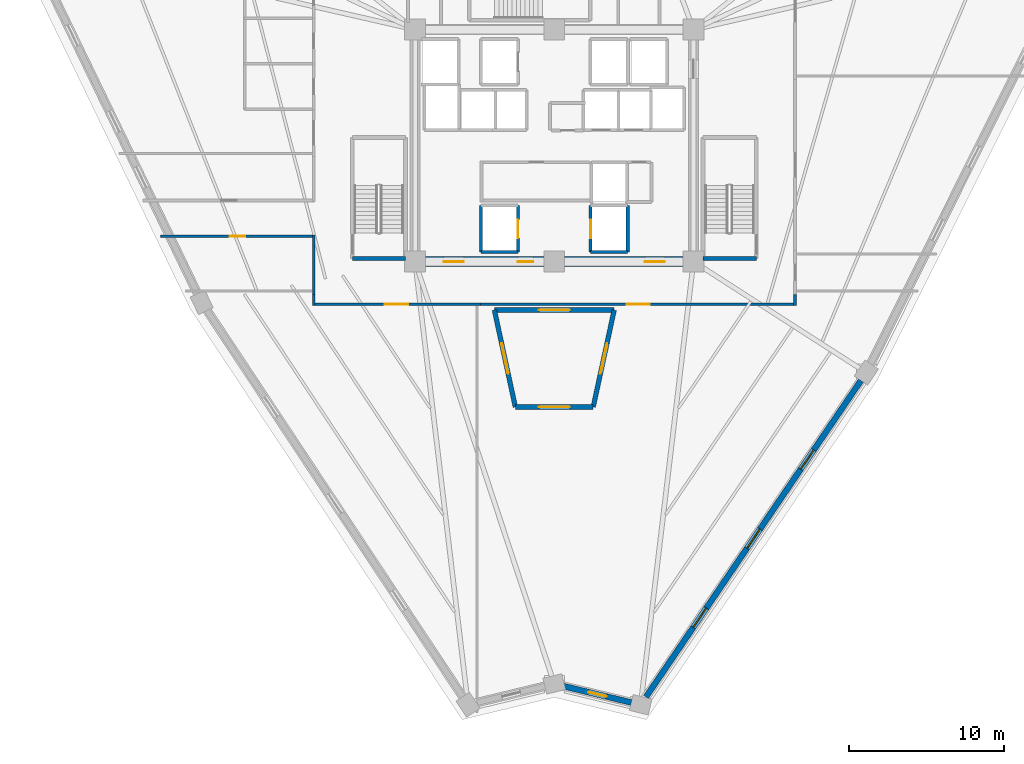
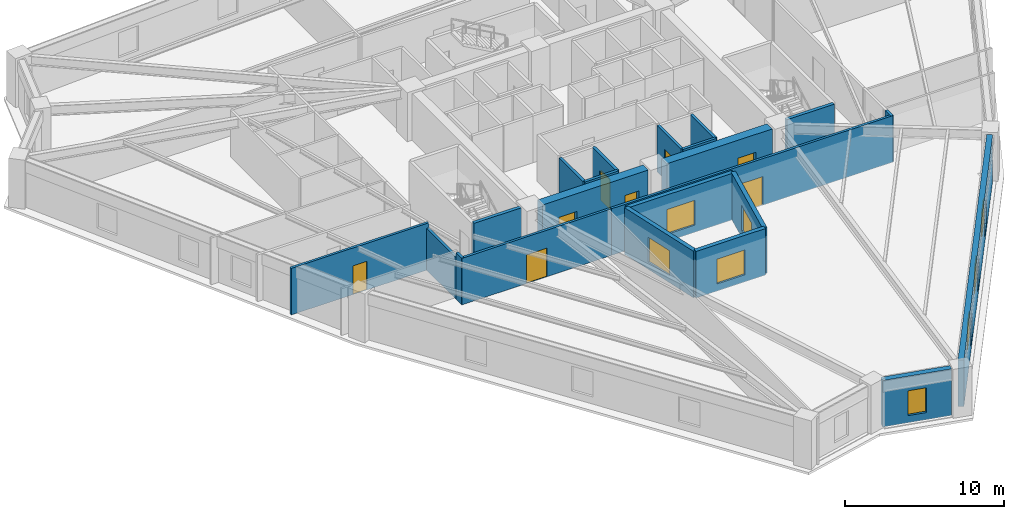
# One storey, part 3 of 10: 22 walls, 8 doors, 8 windows, 16 openings.
"""IFC4 building model written with IfcOpenShell, lengths in metres."""

from ifc_helpers import new_model, si_unit, direction, frame, frame_2d, origin, place, context, subcontext, project, spatial, rectangle, extrude, source, transform, mapped, material, layer, layer_set, type_object, element, fill, save


model = new_model("IFC4")

# Units and contexts
model_context = context("Model", 3, precision=1e-05, world=origin(), true_north=direction((0.0, 1.0)))
body_context = subcontext(model_context, "Body", "Model", "MODEL_VIEW")
ifc_project = project(units=[si_unit("LENGTHUNIT", "METRE"), si_unit("AREAUNIT", "SQUARE_METRE"), si_unit("VOLUMEUNIT", "CUBIC_METRE"), si_unit("PLANEANGLEUNIT", "RADIAN"), si_unit("MASSUNIT", "GRAM", prefix="KILO")], contexts=[model_context])

# Site, building, storey
site_placement = place(None, origin())
site = spatial("IfcSite", under=ifc_project, at=site_placement, CompositionType="ELEMENT")
building_placement = place(site_placement, origin())
building = spatial("IfcBuilding", under=site, at=building_placement, Name="Liaohun Quay Tower", CompositionType="ELEMENT")
storey_placement = place(building_placement, frame((0.0, 0.0, 194.25)))
storey = spatial("IfcBuildingStorey", under=building, at=storey_placement, Name="L50", CompositionType="ELEMENT", Elevation=194.25)

# Wall, opening, window
ifc_material_1 = material(Name="Concrete C50", Category="concrete")
ifc_layer_1 = layer(ifc_material_1, 0.300048828125, Name="Concrete C50", Category="concrete")
ifc_layer_set_1 = layer_set([ifc_layer_1], Name="Concrete C50")
wall_type_1 = type_object("IfcWallType", Name="WAL-ATR-300", PredefinedType="SOLIDWALL", material=ifc_layer_set_1)
wall_1_placement = place(storey_placement, frame((57.48291015625, 37.10009765625, 0.0), z_axis=(0.0, 0.0, 1.0), x_axis=(-0.211374063876, 0.977405240993, 0.0)))
wall_1 = element("IfcWall", 1, at=wall_1_placement, inside=storey, type_object=wall_type_1, Name="L50 Atrium Fire Compartment Wall 1", PredefinedType="SOLIDWALL", context=body_context, shape_type="SweptSolid", body=[
    extrude(rectangle(XDim=6.4150390625, YDim=0.300048828125, at=frame_2d((3.20751953125, 0.0))), origin(), (0.0, 0.0, 1.0), 3.570068359375),
])
shared_shape_1 = source(origin(), body_context, "Body", "SweptSolid", [
    extrude(rectangle(XDim=2.0, YDim=1.89990234375, at=frame_2d((1.0, 0.949951171875))), frame((0.0, 0.159912109375, 0.0), z_axis=(0.0, -1.0, 0.0), x_axis=(1.0, 0.0, 0.0)), (0.0, 0.0, 1.0), 0.320068359375),
])
opening_1_placement = place(wall_1_placement, frame((2.20703125, 0.0, 0.550048828125)))
opening_1 = element("IfcOpeningElement", 2, at=opening_1_placement, cuts=wall_1, Name="Opening W07", PredefinedType="OPENING", context=body_context, shape_type="MappedRepresentation", body=[
    mapped(shared_shape_1, transform((0.0, 0.0, 0.0), x_axis=(1.0, 0.0, 0.0), y_axis=(0.0, 1.0, 0.0), z_axis=(0.0, 0.0, 1.0), scale=1.0)),
])
ifc_material_2 = material(Name="Class A 180-min fire-resistant insulated glazing", Category="glass")
window_type_1 = type_object("IfcWindowType", Name="WIN-ATR-FIR", PartitioningType="DOUBLE_PANEL_VERTICAL", PredefinedType="WINDOW", material=ifc_material_2)
shared_shape_2 = source(origin(), body_context, "Body", "SweptSolid", [
    extrude(rectangle(XDim=2.0, YDim=1.89990234375, at=frame_2d((1.0, 0.949951171875))), frame((0.0, 0.030029296875, 0.0), z_axis=(0.0, -1.0, 0.0), x_axis=(1.0, 0.0, 0.0)), (0.0, 0.0, 1.0), 0.06005859375),
])
window_1_placement = place(opening_1_placement, origin())
window_1 = element("IfcWindow", 3, at=window_1_placement, inside=storey, type_object=window_type_1, Name="L50 Atrium Fire-Resistant Glazing W07-1", OverallHeight=1.89990234375, OverallWidth=2.0, PartitioningType="DOUBLE_PANEL_VERTICAL", PredefinedType="WINDOW", context=body_context, shape_type="MappedRepresentation", body=[
    mapped(shared_shape_2, transform((0.0, 0.0, 0.0), x_axis=(1.0, 0.0, 0.0), y_axis=(0.0, 1.0, 0.0), z_axis=(0.0, 0.0, 1.0), scale=1.0)),
])
fill(opening_1, window_1)

wall_2_placement = place(storey_placement, frame((56.126953125, 43.3701171875, 0.0), z_axis=(0.0, 0.0, 1.0), x_axis=(1.0, 0.0, 0.0)))
wall_2 = element("IfcWall", 4, at=wall_2_placement, inside=storey, type_object=wall_type_1, Name="L50 Atrium Fire Compartment Wall 2", PredefinedType="SOLIDWALL", context=body_context, shape_type="SweptSolid", body=[
    extrude(rectangle(XDim=7.74609375, YDim=0.300048828125, at=frame_2d((3.873046875, 0.0))), origin(), (0.0, 0.0, 1.0), 3.570068359375),
])
opening_2_placement = place(wall_2_placement, frame((2.873046875, 0.0, 0.550048828125)))
opening_2 = element("IfcOpeningElement", 5, at=opening_2_placement, cuts=wall_2, Name="Opening W07", PredefinedType="OPENING", context=body_context, shape_type="MappedRepresentation", body=[
    mapped(shared_shape_1, transform((0.0, 0.0, 0.0), x_axis=(1.0, 0.0, 0.0), y_axis=(0.0, 1.0, 0.0), z_axis=(0.0, 0.0, 1.0), scale=1.0)),
])
window_2_placement = place(opening_2_placement, origin())
window_2 = element("IfcWindow", 6, at=window_2_placement, inside=storey, type_object=window_type_1, Name="L50 Atrium Fire-Resistant Glazing W07-2", OverallHeight=1.89990234375, OverallWidth=2.0, PartitioningType="DOUBLE_PANEL_VERTICAL", PredefinedType="WINDOW", context=body_context, shape_type="MappedRepresentation", body=[
    mapped(shared_shape_2, transform((0.0, 0.0, 0.0), x_axis=(1.0, 0.0, 0.0), y_axis=(0.0, 1.0, 0.0), z_axis=(0.0, 0.0, 1.0), scale=1.0)),
])
fill(opening_2, window_2)

wall_3_placement = place(storey_placement, frame((63.873046875, 43.3701171875, 0.0), z_axis=(0.0, 0.0, 1.0), x_axis=(-0.211374063876, -0.977405240993, 0.0)))
wall_3 = element("IfcWall", 7, at=wall_3_placement, inside=storey, type_object=wall_type_1, Name="L50 Atrium Fire Compartment Wall 3", PredefinedType="SOLIDWALL", context=body_context, shape_type="SweptSolid", body=[
    extrude(rectangle(XDim=6.4150390625, YDim=0.300048828125, at=frame_2d((3.20751953125, 0.0))), origin(), (0.0, 0.0, 1.0), 3.570068359375),
])
opening_3_placement = place(wall_3_placement, frame((2.20703125, 0.0, 0.550048828125)))
opening_3 = element("IfcOpeningElement", 8, at=opening_3_placement, cuts=wall_3, Name="Opening W07", PredefinedType="OPENING", context=body_context, shape_type="MappedRepresentation", body=[
    mapped(shared_shape_1, transform((0.0, 0.0, 0.0), x_axis=(1.0, 0.0, 0.0), y_axis=(0.0, 1.0, 0.0), z_axis=(0.0, 0.0, 1.0), scale=1.0)),
])
window_3_placement = place(opening_3_placement, origin())
window_3 = element("IfcWindow", 9, at=window_3_placement, inside=storey, type_object=window_type_1, Name="L50 Atrium Fire-Resistant Glazing W07-3", OverallHeight=1.89990234375, OverallWidth=2.0, PartitioningType="DOUBLE_PANEL_VERTICAL", PredefinedType="WINDOW", context=body_context, shape_type="MappedRepresentation", body=[
    mapped(shared_shape_2, transform((0.0, 0.0, 0.0), x_axis=(1.0, 0.0, 0.0), y_axis=(0.0, 1.0, 0.0), z_axis=(0.0, 0.0, 1.0), scale=1.0)),
])
fill(opening_3, window_3)

wall_4_placement = place(storey_placement, frame((62.51708984375, 37.10009765625, 0.0), z_axis=(0.0, 0.0, 1.0), x_axis=(-1.0, 0.0, 0.0)))
wall_4 = element("IfcWall", 10, at=wall_4_placement, inside=storey, type_object=wall_type_1, Name="L50 Atrium Fire Compartment Wall 4", PredefinedType="SOLIDWALL", context=body_context, shape_type="SweptSolid", body=[
    extrude(rectangle(XDim=5.0341796875, YDim=0.300048828125, at=frame_2d((2.51708984375, 0.0))), origin(), (0.0, 0.0, 1.0), 3.570068359375),
])
opening_4_placement = place(wall_4_placement, frame((1.51708984375, 0.0, 0.550048828125)))
opening_4 = element("IfcOpeningElement", 11, at=opening_4_placement, cuts=wall_4, Name="Opening W07", PredefinedType="OPENING", context=body_context, shape_type="MappedRepresentation", body=[
    mapped(shared_shape_1, transform((0.0, 0.0, 0.0), x_axis=(1.0, 0.0, 0.0), y_axis=(0.0, 1.0, 0.0), z_axis=(0.0, 0.0, 1.0), scale=1.0)),
])
window_4_placement = place(opening_4_placement, origin())
window_4 = element("IfcWindow", 12, at=window_4_placement, inside=storey, type_object=window_type_1, Name="L50 Atrium Fire-Resistant Glazing W07-4", OverallHeight=1.89990234375, OverallWidth=2.0, PartitioningType="DOUBLE_PANEL_VERTICAL", PredefinedType="WINDOW", context=body_context, shape_type="MappedRepresentation", body=[
    mapped(shared_shape_2, transform((0.0, 0.0, 0.0), x_axis=(1.0, 0.0, 0.0), y_axis=(0.0, 1.0, 0.0), z_axis=(0.0, 0.0, 1.0), scale=1.0)),
])
fill(opening_4, window_4)

# Wall, opening, door
ifc_material_3 = material(Name="Concrete C55", Category="concrete")
ifc_layer_2 = layer(ifc_material_3, 0.64990234375, Name="Concrete C55", Category="concrete")
ifc_layer_set_2 = layer_set([ifc_layer_2], Name="Concrete C55")
wall_type_2 = type_object("IfcWallType", Name="WAL-COR-Z3", PredefinedType="SHEAR", material=ifc_layer_set_2)
wall_5_placement = place(storey_placement, frame((68.324951171875, 46.5, 0.0), z_axis=(0.0, 0.0, 1.0), x_axis=(-1.0, 0.0, 0.0)))
wall_5 = element("IfcWall", 13, at=wall_5_placement, inside=storey, type_object=wall_type_2, Name="L50 Central Core Shear Wall S-E", PredefinedType="SHEAR", context=body_context, shape_type="SweptSolid", body=[
    extrude(rectangle(XDim=7.64990234375, YDim=0.64990234375, at=frame_2d((3.824951171875, 0.0))), origin(), (0.0, 0.0, 1.0), 3.570068359375),
])
shared_shape_3 = source(origin(), body_context, "Body", "SweptSolid", [
    extrude(rectangle(XDim=1.300048828125, YDim=2.199951171875, at=frame_2d((0.64990234375, 1.10009765625))), frame((0.0, 0.3349609375, 0.0), z_axis=(0.0, -1.0, 0.0), x_axis=(1.0, 0.0, 0.0)), (0.0, 0.0, 1.0), 0.669921875),
])
opening_5_placement = place(wall_5_placement, frame((1.175048828125, 0.0, 0.0)))
opening_5 = element("IfcOpeningElement", 14, at=opening_5_placement, cuts=wall_5, Name="Opening FD1", PredefinedType="OPENING", context=body_context, shape_type="MappedRepresentation", body=[
    mapped(shared_shape_3, transform((0.0, 0.0, 0.0), x_axis=(1.0, 0.0, 0.0), y_axis=(0.0, 1.0, 0.0), z_axis=(0.0, 0.0, 1.0), scale=1.0)),
])
ifc_material_4 = material(Name="Galvanised steel smokeproof fire door", Category="steel")
door_type_1 = type_object("IfcDoorType", Name="DOR-FFL-1300", OperationType="NOTDEFINED", PredefinedType="DOOR", material=ifc_material_4)
shared_shape_4 = source(origin(), body_context, "Body", "SweptSolid", [
    extrude(rectangle(XDim=1.300048828125, YDim=2.199951171875, at=frame_2d((0.64990234375, 1.10009765625))), frame((0.0, 0.02490234375, 0.0), z_axis=(0.0, -1.0, 0.0), x_axis=(1.0, 0.0, 0.0)), (0.0, 0.0, 1.0), 0.050048828125),
])
door_1_placement = place(opening_5_placement, origin())
door_1 = element("IfcDoor", 15, at=door_1_placement, inside=storey, type_object=door_type_1, Name="L50 East Core Lift Lobby Smokeproof Door", OperationType="SINGLE_SWING_LEFT", OverallHeight=2.199951171875, OverallWidth=1.300048828125, PredefinedType="DOOR", context=body_context, shape_type="MappedRepresentation", body=[
    mapped(shared_shape_4, transform((0.0, 0.0, 0.0), x_axis=(1.0, 0.0, 0.0), y_axis=(0.0, 1.0, 0.0), z_axis=(0.0, 0.0, 1.0), scale=1.0)),
])
fill(opening_5, door_1)

# Wall, openings, doors
wall_6_placement = place(storey_placement, frame((59.324951171875, 46.5, 0.0), z_axis=(0.0, 0.0, 1.0), x_axis=(-1.0, 0.0, 0.0)))
wall_6 = element("IfcWall", 16, at=wall_6_placement, inside=storey, type_object=wall_type_2, Name="L50 Central Core Shear Wall S-W", PredefinedType="SHEAR", context=body_context, shape_type="SweptSolid", body=[
    extrude(rectangle(XDim=7.64990234375, YDim=0.64990234375, at=frame_2d((3.824951171875, 0.0))), origin(), (0.0, 0.0, 1.0), 3.570068359375),
])
opening_6_placement = place(wall_6_placement, frame((5.175048828125, 0.0, 0.0)))
opening_6 = element("IfcOpeningElement", 17, at=opening_6_placement, cuts=wall_6, Name="Opening FD1", PredefinedType="OPENING", context=body_context, shape_type="MappedRepresentation", body=[
    mapped(shared_shape_3, transform((0.0, 0.0, 0.0), x_axis=(1.0, 0.0, 0.0), y_axis=(0.0, 1.0, 0.0), z_axis=(0.0, 0.0, 1.0), scale=1.0)),
])
shared_shape_5 = source(origin(), body_context, "Body", "SweptSolid", [
    extrude(rectangle(XDim=1.0, YDim=2.199951171875, at=frame_2d((0.5, 1.10009765625))), frame((0.0, 0.3349609375, 0.0), z_axis=(0.0, -1.0, 0.0), x_axis=(1.0, 0.0, 0.0)), (0.0, 0.0, 1.0), 0.669921875),
])
opening_7_placement = place(wall_6_placement, frame((0.675048828125, 0.0, 0.0)))
opening_7 = element("IfcOpeningElement", 18, at=opening_7_placement, cuts=wall_6, Name="Opening FD2", PredefinedType="OPENING", context=body_context, shape_type="MappedRepresentation", body=[
    mapped(shared_shape_5, transform((0.0, 0.0, 0.0), x_axis=(1.0, 0.0, 0.0), y_axis=(0.0, 1.0, 0.0), z_axis=(0.0, 0.0, 1.0), scale=1.0)),
])
door_2_placement = place(opening_6_placement, origin())
door_2 = element("IfcDoor", 19, at=door_2_placement, inside=storey, type_object=door_type_1, Name="L50 West Core Lift Lobby Smokeproof Door", OperationType="SINGLE_SWING_RIGHT", OverallHeight=2.199951171875, OverallWidth=1.300048828125, PredefinedType="DOOR", context=body_context, shape_type="MappedRepresentation", body=[
    mapped(shared_shape_4, transform((0.0, 0.0, 0.0), x_axis=(1.0, 0.0, 0.0), y_axis=(0.0, 1.0, 0.0), z_axis=(0.0, 0.0, 1.0), scale=1.0)),
])
fill(opening_6, door_2)
ifc_material_5 = material(Name="Galvanised steel smokeproof lobby fire door", Category="steel")
door_type_2 = type_object("IfcDoorType", Name="DOR-FFL-1000", OperationType="NOTDEFINED", PredefinedType="DOOR", material=ifc_material_5)
shared_shape_6 = source(origin(), body_context, "Body", "SweptSolid", [
    extrude(rectangle(XDim=1.0, YDim=2.199951171875, at=frame_2d((0.5, 1.10009765625))), frame((0.0, 0.02490234375, 0.0), z_axis=(0.0, -1.0, 0.0), x_axis=(1.0, 0.0, 0.0)), (0.0, 0.0, 1.0), 0.050048828125),
])
door_3_placement = place(opening_7_placement, origin())
door_3 = element("IfcDoor", 20, at=door_3_placement, inside=storey, type_object=door_type_2, Name="L50 South Firefighting Lobby Smokeproof Door", OperationType="SINGLE_SWING_LEFT", OverallHeight=2.199951171875, OverallWidth=1.0, PredefinedType="DOOR", context=body_context, shape_type="MappedRepresentation", body=[
    mapped(shared_shape_6, transform((0.0, 0.0, 0.0), x_axis=(1.0, 0.0, 0.0), y_axis=(0.0, 1.0, 0.0), z_axis=(0.0, 0.0, 1.0), scale=1.0)),
])
fill(opening_7, door_3)

# Wall, opening, window
ifc_material_6 = material(Name="Precast concrete C50 insulated sandwich", Category="concrete")
ifc_layer_3 = layer(ifc_material_6, 0.3798828125, Name="Precast concrete C50 insulated sandwich", Category="concrete")
ifc_layer_set_3 = layer_set([ifc_layer_3], Name="Precast concrete C50 insulated sandwich")
wall_type_3 = type_object("IfcWallType", Name="WAL-EXT-Z34", PredefinedType="SOLIDWALL", material=ifc_layer_set_3)
wall_7_placement = place(storey_placement, frame((60.597900390625, 19.050048828125, 0.0), z_axis=(0.0, 0.0, 1.0), x_axis=(0.972002207068, -0.234971720543, 0.0)))
wall_7 = element("IfcWall", 21, at=wall_7_placement, inside=storey, type_object=wall_type_3, Name="L50 Brutalist Precast Pier Wall 01", PredefinedType="SOLIDWALL", context=body_context, shape_type="SweptSolid", body=[
    extrude(rectangle(XDim=4.515625, YDim=0.3798828125, at=frame_2d((2.2578125, 0.0))), origin(), (0.0, 0.0, 1.0), 3.570068359375),
])
shared_shape_7 = source(origin(), body_context, "Body", "SweptSolid", [
    extrude(rectangle(XDim=1.199951171875, YDim=1.89990234375, at=frame_2d((0.60009765625, 0.949951171875))), frame((0.0, 0.199951171875, 0.0), z_axis=(0.0, -1.0, 0.0), x_axis=(1.0, 0.0, 0.0)), (0.0, 0.0, 1.0), 0.39990234375),
])
opening_8_placement = place(wall_7_placement, frame((1.657958984375, 0.0, 0.550048828125)))
opening_8 = element("IfcOpeningElement", 22, at=opening_8_placement, cuts=wall_7, Name="Opening W05", PredefinedType="OPENING", context=body_context, shape_type="MappedRepresentation", body=[
    mapped(shared_shape_7, transform((0.0, 0.0, 0.0), x_axis=(1.0, 0.0, 0.0), y_axis=(0.0, 1.0, 0.0), z_axis=(0.0, 0.0, 1.0), scale=1.0)),
])
ifc_material_7 = material(Name="Triple Low-E corner notch glazing", Category="glass")
window_type_2 = type_object("IfcWindowType", Name="WIN-NOTCH", PartitioningType="SINGLE_PANEL", PredefinedType="WINDOW", material=ifc_material_7)
shared_shape_8 = source(origin(), body_context, "Body", "SweptSolid", [
    extrude(rectangle(XDim=1.199951171875, YDim=1.89990234375, at=frame_2d((0.60009765625, 0.949951171875))), frame((0.0, 0.030029296875, 0.0), z_axis=(0.0, -1.0, 0.0), x_axis=(1.0, 0.0, 0.0)), (0.0, 0.0, 1.0), 0.06005859375),
])
window_5_placement = place(opening_8_placement, origin())
window_5 = element("IfcWindow", 23, at=window_5_placement, inside=storey, type_object=window_type_2, Name="L50 Corner Notch Window W05-01", OverallHeight=1.89990234375, OverallWidth=1.199951171875, PartitioningType="SINGLE_PANEL", PredefinedType="WINDOW", context=body_context, shape_type="MappedRepresentation", body=[
    mapped(shared_shape_8, transform((0.0, 0.0, 0.0), x_axis=(1.0, 0.0, 0.0), y_axis=(0.0, 1.0, 0.0), z_axis=(0.0, 0.0, 1.0), scale=1.0)),
])
fill(opening_8, window_5)

# Wall, openings, windows
wall_8_placement = place(storey_placement, frame((65.930908203125, 18.35400390625, 0.0), z_axis=(0.0, 0.0, 1.0), x_axis=(0.561951205554, 0.827170383039, 0.0)))
wall_8 = element("IfcWall", 24, at=wall_8_placement, inside=storey, type_object=wall_type_3, Name="L50 Brutalist Precast Pier Wall 02", PredefinedType="SOLIDWALL", context=body_context, shape_type="SweptSolid", body=[
    extrude(rectangle(XDim=24.7373046875, YDim=0.3798828125, at=frame_2d((12.36865234375, 0.0))), origin(), (0.0, 0.0, 1.0), 3.570068359375),
])
shared_shape_9 = source(origin(), body_context, "Body", "SweptSolid", [
    extrude(rectangle(XDim=1.5, YDim=1.89990234375, at=frame_2d((0.75, 0.949951171875))), frame((0.0, 0.199951171875, 0.0), z_axis=(0.0, -1.0, 0.0), x_axis=(1.0, 0.0, 0.0)), (0.0, 0.0, 1.0), 0.39990234375),
])
opening_9_placement = place(wall_8_placement, frame((5.43408203125, 0.0, 0.550048828125)))
opening_9 = element("IfcOpeningElement", 25, at=opening_9_placement, cuts=wall_8, Name="Opening W03", PredefinedType="OPENING", context=body_context, shape_type="MappedRepresentation", body=[
    mapped(shared_shape_9, transform((0.0, 0.0, 0.0), x_axis=(1.0, 0.0, 0.0), y_axis=(0.0, 1.0, 0.0), z_axis=(0.0, 0.0, 1.0), scale=1.0)),
])
opening_10_placement = place(wall_8_placement, frame((11.618896484375, 0.0, 0.550048828125)))
opening_10 = element("IfcOpeningElement", 26, at=opening_10_placement, cuts=wall_8, Name="Opening W03", PredefinedType="OPENING", context=body_context, shape_type="MappedRepresentation", body=[
    mapped(shared_shape_9, transform((0.0, 0.0, 0.0), x_axis=(1.0, 0.0, 0.0), y_axis=(0.0, 1.0, 0.0), z_axis=(0.0, 0.0, 1.0), scale=1.0)),
])
opening_11_placement = place(wall_8_placement, frame((17.802978515625, 0.0, 0.550048828125)))
opening_11 = element("IfcOpeningElement", 27, at=opening_11_placement, cuts=wall_8, Name="Opening W03", PredefinedType="OPENING", context=body_context, shape_type="MappedRepresentation", body=[
    mapped(shared_shape_9, transform((0.0, 0.0, 0.0), x_axis=(1.0, 0.0, 0.0), y_axis=(0.0, 1.0, 0.0), z_axis=(0.0, 0.0, 1.0), scale=1.0)),
])
ifc_material_8 = material(Name="Triple Low-E argon glazing in thermally broken aluminium", Category="aluminium")
window_type_3 = type_object("IfcWindowType", Name="WIN-PUN-Z3", PartitioningType="DOUBLE_PANEL_VERTICAL", PredefinedType="WINDOW", material=ifc_material_8)
shared_shape_10 = source(origin(), body_context, "Body", "SweptSolid", [
    extrude(rectangle(XDim=1.5, YDim=1.89990234375, at=frame_2d((0.75, 0.949951171875))), frame((0.0, 0.030029296875, 0.0), z_axis=(0.0, -1.0, 0.0), x_axis=(1.0, 0.0, 0.0)), (0.0, 0.0, 1.0), 0.06005859375),
])
window_6_placement = place(opening_9_placement, origin())
window_6 = element("IfcWindow", 28, at=window_6_placement, inside=storey, type_object=window_type_3, Name="L50 Recessed Cold-Climate Punched Window 02-1", OverallHeight=1.89990234375, OverallWidth=1.5, PartitioningType="DOUBLE_PANEL_VERTICAL", PredefinedType="WINDOW", context=body_context, shape_type="MappedRepresentation", body=[
    mapped(shared_shape_10, transform((0.0, 0.0, 0.0), x_axis=(1.0, 0.0, 0.0), y_axis=(0.0, 1.0, 0.0), z_axis=(0.0, 0.0, 1.0), scale=1.0)),
])
fill(opening_9, window_6)
window_7_placement = place(opening_10_placement, origin())
window_7 = element("IfcWindow", 29, at=window_7_placement, inside=storey, type_object=window_type_3, Name="L50 Recessed Cold-Climate Punched Window 02-2", OverallHeight=1.89990234375, OverallWidth=1.5, PartitioningType="DOUBLE_PANEL_VERTICAL", PredefinedType="WINDOW", context=body_context, shape_type="MappedRepresentation", body=[
    mapped(shared_shape_10, transform((0.0, 0.0, 0.0), x_axis=(1.0, 0.0, 0.0), y_axis=(0.0, 1.0, 0.0), z_axis=(0.0, 0.0, 1.0), scale=1.0)),
])
fill(opening_10, window_7)
window_8_placement = place(opening_11_placement, origin())
window_8 = element("IfcWindow", 30, at=window_8_placement, inside=storey, type_object=window_type_3, Name="L50 Recessed Cold-Climate Punched Window 02-3", OverallHeight=1.89990234375, OverallWidth=1.5, PartitioningType="DOUBLE_PANEL_VERTICAL", PredefinedType="WINDOW", context=body_context, shape_type="MappedRepresentation", body=[
    mapped(shared_shape_10, transform((0.0, 0.0, 0.0), x_axis=(1.0, 0.0, 0.0), y_axis=(0.0, 1.0, 0.0), z_axis=(0.0, 0.0, 1.0), scale=1.0)),
])
fill(opening_11, window_8)

# Wall, opening, door
ifc_material_9 = material(Name="Autoclaved aerated concrete blockwork", Category="masonry")
ifc_layer_4 = layer(ifc_material_9, 0.179931640625, Name="Autoclaved aerated concrete blockwork", Category="masonry")
ifc_layer_set_4 = layer_set([ifc_layer_4], Name="Autoclaved aerated concrete blockwork")
wall_type_4 = type_object("IfcWallType", Name="WAL-PRT-COR", PredefinedType="PARTITIONING", material=ifc_layer_set_4)
wall_9_placement = place(storey_placement, frame((44.510009765625, 48.139892578125, 0.0), z_axis=(0.0, 0.0, 1.0), x_axis=(-1.0, 0.0, 0.0)))
wall_9 = element("IfcWall", 31, at=wall_9_placement, inside=storey, type_object=wall_type_4, Name="L50 Interior Partition Wall 018", PredefinedType="PARTITIONING", context=body_context, shape_type="SweptSolid", body=[
    extrude(rectangle(XDim=9.968017578125, YDim=0.179931640625, at=frame_2d((4.98388671875, 0.0))), origin(), (0.0, 0.0, 1.0), 3.570068359375),
])
shared_shape_11 = source(origin(), body_context, "Body", "SweptSolid", [
    extrude(rectangle(XDim=1.0, YDim=2.199951171875, at=frame_2d((0.5, 1.10009765625))), frame((0.0, 0.099853515625, 0.0), z_axis=(0.0, -1.0, 0.0), x_axis=(1.0, 0.0, 0.0)), (0.0, 0.0, 1.0), 0.199951171875),
])
opening_12_placement = place(wall_9_placement, frame((4.48388671875, 0.0, 0.0)))
opening_12 = element("IfcOpeningElement", 32, at=opening_12_placement, cuts=wall_9, Name="Opening OD1", PredefinedType="OPENING", context=body_context, shape_type="MappedRepresentation", body=[
    mapped(shared_shape_11, transform((0.0, 0.0, 0.0), x_axis=(1.0, 0.0, 0.0), y_axis=(0.0, 1.0, 0.0), z_axis=(0.0, 0.0, 1.0), scale=1.0)),
])
ifc_material_10 = material(Name="Solid-core oak veneer timber leaf in steel frame", Category="steel")
door_type_3 = type_object("IfcDoorType", Name="DOR-OFF-1000", OperationType="NOTDEFINED", PredefinedType="DOOR", material=ifc_material_10)
door_4_placement = place(opening_12_placement, origin())
door_4 = element("IfcDoor", 33, at=door_4_placement, inside=storey, type_object=door_type_3, Name="L50 Engineering Model Workshop 08 Door", OperationType="SINGLE_SWING_RIGHT", OverallHeight=2.199951171875, OverallWidth=1.0, PredefinedType="DOOR", context=body_context, shape_type="MappedRepresentation", body=[
    mapped(shared_shape_6, transform((0.0, 0.0, 0.0), x_axis=(1.0, 0.0, 0.0), y_axis=(0.0, 1.0, 0.0), z_axis=(0.0, 0.0, 1.0), scale=1.0)),
])
fill(opening_12, door_4)

wall_10_placement = place(storey_placement, frame((55.215087890625, 43.739990234375, 0.0), z_axis=(0.0, 0.0, 1.0), x_axis=(-1.0, 0.0, 0.0)))
wall_10 = element("IfcWall", 34, at=wall_10_placement, inside=storey, type_object=wall_type_4, Name="L50 Interior Partition Wall 019", PredefinedType="PARTITIONING", context=body_context, shape_type="SweptSolid", body=[
    extrude(rectangle(XDim=10.844970703125, YDim=0.179931640625, at=frame_2d((5.42236328125, 0.0))), origin(), (0.0, 0.0, 1.0), 3.570068359375),
])
shared_shape_12 = source(origin(), body_context, "Body", "SweptSolid", [
    extrude(rectangle(XDim=1.5, YDim=2.199951171875, at=frame_2d((0.75, 1.10009765625))), frame((0.0, 0.099853515625, 0.0), z_axis=(0.0, -1.0, 0.0), x_axis=(1.0, 0.0, 0.0)), (0.0, 0.0, 1.0), 0.199951171875),
])
opening_13_placement = place(wall_10_placement, frame((4.673095703125, 0.0, 0.0)))
opening_13 = element("IfcOpeningElement", 35, at=opening_13_placement, cuts=wall_10, Name="Opening OD2", PredefinedType="OPENING", context=body_context, shape_type="MappedRepresentation", body=[
    mapped(shared_shape_12, transform((0.0, 0.0, 0.0), x_axis=(1.0, 0.0, 0.0), y_axis=(0.0, 1.0, 0.0), z_axis=(0.0, 0.0, 1.0), scale=1.0)),
])
ifc_material_11 = material(Name="Acoustic oak veneer double door")
door_type_4 = type_object("IfcDoorType", Name="DOR-OFF-1500", OperationType="DOUBLE_DOOR_SINGLE_SWING", PredefinedType="DOOR", material=ifc_material_11)
shared_shape_13 = source(origin(), body_context, "Body", "SweptSolid", [
    extrude(rectangle(XDim=1.5, YDim=2.199951171875, at=frame_2d((0.75, 1.10009765625))), frame((0.0, 0.02490234375, 0.0), z_axis=(0.0, -1.0, 0.0), x_axis=(1.0, 0.0, 0.0)), (0.0, 0.0, 1.0), 0.050048828125),
])
door_5_placement = place(opening_13_placement, origin())
door_5 = element("IfcDoor", 36, at=door_5_placement, inside=storey, type_object=door_type_4, Name="L50 Records Archive Store 09 Door", OperationType="DOUBLE_DOOR_SINGLE_SWING", OverallHeight=2.199951171875, OverallWidth=1.5, PredefinedType="DOOR", context=body_context, shape_type="MappedRepresentation", body=[
    mapped(shared_shape_13, transform((0.0, 0.0, 0.0), x_axis=(1.0, 0.0, 0.0), y_axis=(0.0, 1.0, 0.0), z_axis=(0.0, 0.0, 1.0), scale=1.0)),
])
fill(opening_13, door_5)

wall_11_placement = place(storey_placement, frame((75.6298828125, 43.739990234375, 0.0), z_axis=(0.0, 0.0, 1.0), x_axis=(-1.0, 0.0, 0.0)))
wall_11 = element("IfcWall", 37, at=wall_11_placement, inside=storey, type_object=wall_type_4, Name="L50 Interior Partition Wall 020", PredefinedType="PARTITIONING", context=body_context, shape_type="SweptSolid", body=[
    extrude(rectangle(XDim=20.414794921875, YDim=0.179931640625, at=frame_2d((10.20751953125, 0.0))), origin(), (0.0, 0.0, 1.0), 3.570068359375),
])
opening_14_placement = place(wall_11_placement, frame((9.45703125, 0.0, 0.0)))
opening_14 = element("IfcOpeningElement", 38, at=opening_14_placement, cuts=wall_11, Name="Opening OD2", PredefinedType="OPENING", context=body_context, shape_type="MappedRepresentation", body=[
    mapped(shared_shape_12, transform((0.0, 0.0, 0.0), x_axis=(1.0, 0.0, 0.0), y_axis=(0.0, 1.0, 0.0), z_axis=(0.0, 0.0, 1.0), scale=1.0)),
])
door_6_placement = place(opening_14_placement, origin())
door_6 = element("IfcDoor", 39, at=door_6_placement, inside=storey, type_object=door_type_4, Name="L50 Open-Plan Office Workplace 10 Door", OperationType="DOUBLE_DOOR_SINGLE_SWING", OverallHeight=2.199951171875, OverallWidth=1.5, PredefinedType="DOOR", context=body_context, shape_type="MappedRepresentation", body=[
    mapped(shared_shape_13, transform((0.0, 0.0, 0.0), x_axis=(1.0, 0.0, 0.0), y_axis=(0.0, 1.0, 0.0), z_axis=(0.0, 0.0, 1.0), scale=1.0)),
])
fill(opening_14, door_6)

# Walls
wall_12_placement = place(storey_placement, frame((44.43994140625, 44.385009765625, 0.0), z_axis=(0.0, 0.0, 1.0), x_axis=(0.0, 1.0, 0.0)))
element("IfcWall", 40, at=wall_12_placement, inside=storey, type_object=wall_type_4, Name="L50 Interior Partition Wall 042", PredefinedType="PARTITIONING", context=body_context, shape_type="SweptSolid", body=[
    extrude(rectangle(XDim=3.824951171875, YDim=0.179931640625, at=frame_2d((1.91259765625, 0.0))), origin(), (0.0, 0.0, 1.0), 3.205078125),
])
for number, where, z_axis, x_axis, name in (
    (41, (44.43994140625, 43.669921875, 0.0), (0.0, 0.0, 1.0), (0.0, 1.0, 0.0), "L50 Interior Partition Wall 043"),
    (42, (75.56005859375, 44.385009765625, 0.0), (0.0, 0.0, 1.0), (0.0, -1.0, 0.0), "L50 Interior Partition Wall 044"),
):
    element("IfcWall", number, at=place(storey_placement, frame(where, z_axis=z_axis, x_axis=x_axis)), inside=storey, type_object=wall_type_4, Name=name, PredefinedType="PARTITIONING", context=body_context, shape_type="SweptSolid", body=[
        extrude(rectangle(XDim=0.715087890625, YDim=0.179931640625, at=frame_2d((0.357421875, 0.0))), origin(), (0.0, 0.0, 1.0), 3.570068359375),
    ])
ifc_layer_5 = layer(ifc_material_1, 0.239990234375, Name="Concrete C50", Category="concrete")
ifc_layer_set_5 = layer_set([ifc_layer_5], Name="Concrete C50")
wall_type_5 = type_object("IfcWallType", Name="WAL-SHF-200", PredefinedType="SOLIDWALL", material=ifc_layer_set_5)
for number, where, z_axis, x_axis, name in (
    (43, (46.93994140625, 46.699951171875, 0.0), (0.0, 0.0, 1.0), (1.0, 0.0, 0.0), "L50 Stairwell ST-1 Structural Core Wall S"),
    (44, (69.6201171875, 46.699951171875, 0.0), (0.0, 0.0, 1.0), (1.0, 0.0, 0.0), "L50 Stairwell ST-2 Structural Core Wall S"),
):
    element("IfcWall", number, at=place(storey_placement, frame(where, z_axis=z_axis, x_axis=x_axis)), inside=storey, type_object=wall_type_5, Name=name, PredefinedType="SOLIDWALL", context=body_context, shape_type="SweptSolid", body=[
        extrude(rectangle(XDim=3.43994140625, YDim=0.239990234375, at=frame_2d((1.719970703125, 0.0))), origin(), (0.0, 0.0, 1.0), 3.570068359375),
    ])
wall_13_placement = place(storey_placement, frame((55.25, 47.1201171875, 0.0), z_axis=(0.0, 0.0, 1.0), x_axis=(1.0, 0.0, 0.0)))
element("IfcWall", 45, at=wall_13_placement, inside=storey, type_object=wall_type_5, Name="L50 Lift FF-01 Hoistway Wall S", PredefinedType="SOLIDWALL", context=body_context, shape_type="SweptSolid", body=[
    extrude(rectangle(XDim=2.39990234375, YDim=0.199951171875, at=frame_2d((1.199951171875, 0.0))), origin(), (0.0, 0.0, 1.0), 3.570068359375),
])

# Wall, opening, door
wall_14_placement = place(storey_placement, frame((57.64990234375, 47.1201171875, 0.0), z_axis=(0.0, 0.0, 1.0), x_axis=(0.0, 1.0, 0.0)))
wall_14 = element("IfcWall", 46, at=wall_14_placement, inside=storey, type_object=wall_type_5, Name="L50 Lift FF-01 Hoistway Wall E", PredefinedType="SOLIDWALL", context=body_context, shape_type="SweptSolid", body=[
    extrude(rectangle(XDim=3.0, YDim=0.199951171875, at=frame_2d((1.5, 0.0))), origin(), (0.0, 0.0, 1.0), 3.570068359375),
])
shared_shape_14 = source(origin(), body_context, "Body", "SweptSolid", [
    extrude(rectangle(XDim=1.199951171875, YDim=2.300048828125, at=frame_2d((0.60009765625, 1.14990234375))), frame((0.0, 0.10986328125, 0.0), z_axis=(0.0, -1.0, 0.0), x_axis=(1.0, 0.0, 0.0)), (0.0, 0.0, 1.0), 0.219970703125),
])
opening_15_placement = place(wall_14_placement, frame((0.89990234375, 0.0, 0.0)))
opening_15 = element("IfcOpeningElement", 47, at=opening_15_placement, cuts=wall_14, Name="Opening LD2", PredefinedType="OPENING", context=body_context, shape_type="MappedRepresentation", body=[
    mapped(shared_shape_14, transform((0.0, 0.0, 0.0), x_axis=(1.0, 0.0, 0.0), y_axis=(0.0, 1.0, 0.0), z_axis=(0.0, 0.0, 1.0), scale=1.0)),
])
ifc_material_12 = material(Name="Brushed stainless steel stretcher landing door", Category="steel")
door_type_5 = type_object("IfcDoorType", Name="DOR-LFT-1200", OperationType="SLIDING_TO_LEFT", PredefinedType="DOOR", material=ifc_material_12)
shared_shape_15 = source(origin(), body_context, "Body", "SweptSolid", [
    extrude(rectangle(XDim=1.199951171875, YDim=2.300048828125, at=frame_2d((0.60009765625, 1.14990234375))), frame((0.0, 0.02490234375, 0.0), z_axis=(0.0, -1.0, 0.0), x_axis=(1.0, 0.0, 0.0)), (0.0, 0.0, 1.0), 0.050048828125),
])
door_7_placement = place(opening_15_placement, origin())
door_7 = element("IfcDoor", 48, at=door_7_placement, inside=storey, type_object=door_type_5, Name="L50 Lift FF-01 Sliding Landing Door", OperationType="SLIDING_TO_LEFT", OverallHeight=2.300048828125, OverallWidth=1.199951171875, PredefinedType="DOOR", context=body_context, shape_type="MappedRepresentation", body=[
    mapped(shared_shape_15, transform((0.0, 0.0, 0.0), x_axis=(1.0, 0.0, 0.0), y_axis=(0.0, 1.0, 0.0), z_axis=(0.0, 0.0, 1.0), scale=1.0)),
])
fill(opening_15, door_7)

# Walls
wall_15_placement = place(storey_placement, frame((55.25, 50.1201171875, 0.0), z_axis=(0.0, 0.0, 1.0), x_axis=(0.0, -1.0, 0.0)))
element("IfcWall", 49, at=wall_15_placement, inside=storey, type_object=wall_type_5, Name="L50 Lift FF-01 Hoistway Wall W", PredefinedType="SOLIDWALL", context=body_context, shape_type="SweptSolid", body=[
    extrude(rectangle(XDim=3.0, YDim=0.199951171875, at=frame_2d((1.5, 0.0))), origin(), (0.0, 0.0, 1.0), 3.570068359375),
])
wall_16_placement = place(storey_placement, frame((62.35009765625, 47.1201171875, 0.0), z_axis=(0.0, 0.0, 1.0), x_axis=(1.0, 0.0, 0.0)))
element("IfcWall", 50, at=wall_16_placement, inside=storey, type_object=wall_type_5, Name="L50 Lift FF-02 Hoistway Wall S", PredefinedType="SOLIDWALL", context=body_context, shape_type="SweptSolid", body=[
    extrude(rectangle(XDim=2.39990234375, YDim=0.199951171875, at=frame_2d((1.199951171875, 0.0))), origin(), (0.0, 0.0, 1.0), 3.570068359375),
])
wall_17_placement = place(storey_placement, frame((64.75, 47.1201171875, 0.0), z_axis=(0.0, 0.0, 1.0), x_axis=(0.0, 1.0, 0.0)))
element("IfcWall", 51, at=wall_17_placement, inside=storey, type_object=wall_type_5, Name="L50 Lift FF-02 Hoistway Wall E", PredefinedType="SOLIDWALL", context=body_context, shape_type="SweptSolid", body=[
    extrude(rectangle(XDim=3.0, YDim=0.199951171875, at=frame_2d((1.5, 0.0))), origin(), (0.0, 0.0, 1.0), 3.570068359375),
])

# Wall, opening, door
wall_18_placement = place(storey_placement, frame((62.35009765625, 50.1201171875, 0.0), z_axis=(0.0, 0.0, 1.0), x_axis=(0.0, -1.0, 0.0)))
wall_18 = element("IfcWall", 52, at=wall_18_placement, inside=storey, type_object=wall_type_5, Name="L50 Lift FF-02 Hoistway Wall W", PredefinedType="SOLIDWALL", context=body_context, shape_type="SweptSolid", body=[
    extrude(rectangle(XDim=3.0, YDim=0.199951171875, at=frame_2d((1.5, 0.0))), origin(), (0.0, 0.0, 1.0), 3.570068359375),
])
opening_16_placement = place(wall_18_placement, frame((0.89990234375, 0.0, 0.0)))
opening_16 = element("IfcOpeningElement", 53, at=opening_16_placement, cuts=wall_18, Name="Opening LD2", PredefinedType="OPENING", context=body_context, shape_type="MappedRepresentation", body=[
    mapped(shared_shape_14, transform((0.0, 0.0, 0.0), x_axis=(1.0, 0.0, 0.0), y_axis=(0.0, 1.0, 0.0), z_axis=(0.0, 0.0, 1.0), scale=1.0)),
])
door_8_placement = place(opening_16_placement, origin())
door_8 = element("IfcDoor", 54, at=door_8_placement, inside=storey, type_object=door_type_5, Name="L50 Lift FF-02 Sliding Landing Door", OperationType="SLIDING_TO_LEFT", OverallHeight=2.300048828125, OverallWidth=1.199951171875, PredefinedType="DOOR", context=body_context, shape_type="MappedRepresentation", body=[
    mapped(shared_shape_15, transform((0.0, 0.0, 0.0), x_axis=(1.0, 0.0, 0.0), y_axis=(0.0, 1.0, 0.0), z_axis=(0.0, 0.0, 1.0), scale=1.0)),
])
fill(opening_16, door_8)

save(model, "model.ifc")
